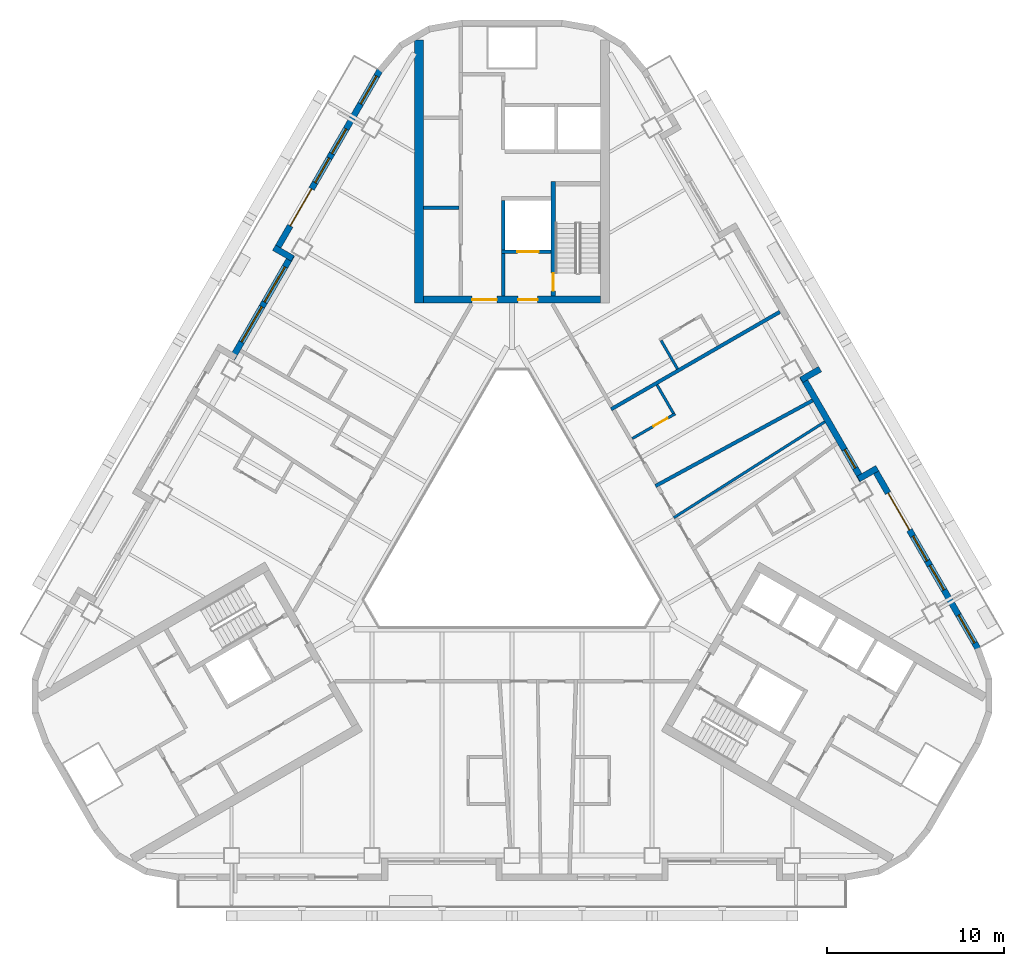
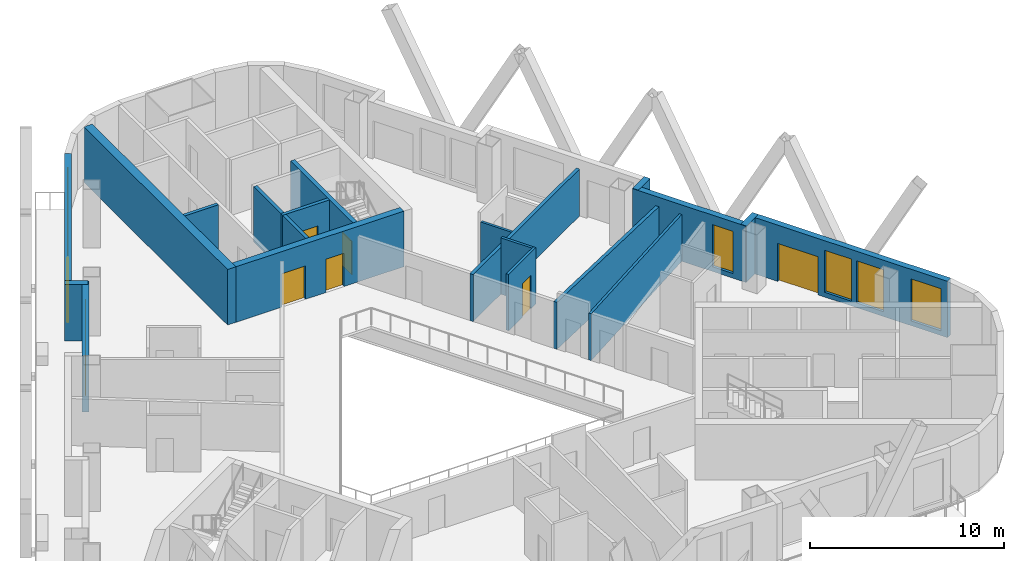
# One storey, part 6 of 14: 20 walls, 9 windows, 7 doors, 16 openings.
"""IFC4 building model written with IfcOpenShell, lengths in metres."""

from ifc_helpers import new_model, si_unit, direction, frame, frame_2d, origin, place, context, subcontext, project, spatial, rectangle, extrude, material, layer, layer_set, type_object, element, fill, save


model = new_model("IFC4")

# Units and contexts
model_context = context("Model", 3, precision=1e-05, world=origin(), true_north=direction((0.0, 1.0)))
body_context = subcontext(model_context, "Body", "Model", "MODEL_VIEW")
ifc_project = project(units=[si_unit("LENGTHUNIT", "METRE"), si_unit("AREAUNIT", "SQUARE_METRE"), si_unit("VOLUMEUNIT", "CUBIC_METRE"), si_unit("PLANEANGLEUNIT", "RADIAN"), si_unit("MASSUNIT", "GRAM", prefix="KILO")], contexts=[model_context])

# Site, building, storey
site_placement = place(None, origin())
site = spatial("IfcSite", under=ifc_project, at=site_placement, CompositionType="ELEMENT")
building_placement = place(site_placement, origin())
building = spatial("IfcBuilding", under=site, at=building_placement, Name="Apuvela Tower Hotel", CompositionType="ELEMENT")
storey_placement = place(building_placement, frame((0.0, 0.0, 113.10009765625)))
storey = spatial("IfcBuildingStorey", under=building, at=storey_placement, Name="L26", CompositionType="ELEMENT", Elevation=113.10009765625)

# Wall, openings, doors
ifc_material_1 = material(Name="Concrete C50/60", Category="concrete")
ifc_layer_1 = layer(ifc_material_1, 0.39990234375)
ifc_layer_set_1 = layer_set([ifc_layer_1], Name="COR-WALL-CORE-400")
wall_type_1 = type_object("IfcWallType", Name="COR-WALL-CORE-400", PredefinedType="SHEAR", material=ifc_layer_set_1)
wall_1_placement = place(storey_placement, frame((5.0, 13.10009765625, 0.0), z_axis=(0.0, 0.0, 1.0), x_axis=(-1.0, 0.0, 0.0)))
wall_1 = element("IfcWall", 1, at=wall_1_placement, inside=storey, type_object=wall_type_1, Name="Core wall N", PredefinedType="SHEAR", context=body_context, shape_type="SweptSolid", body=[
    extrude(rectangle(XDim=10.0, YDim=0.39990234375, at=frame_2d((5.0, 0.0))), origin(), (0.0, 0.0, 1.0), 3.5),
])
opening_1_placement = place(wall_1_placement, frame((3.550048828125, 0.0, 0.0)))
opening_1 = element("IfcOpeningElement", 2, at=opening_1_placement, cuts=wall_1, Name="Opening N-FD", PredefinedType="OPENING", context=body_context, shape_type="SweptSolid", body=[
    extrude(rectangle(XDim=1.10009765625, YDim=2.10009765625, at=frame_2d((0.550048828125, 1.050048828125))), frame((0.0, 0.2099609375, 0.0), z_axis=(0.0, -1.0, 0.0), x_axis=(1.0, 0.0, 0.0)), (0.0, 0.0, 1.0), 0.419921875),
])
opening_2_placement = place(wall_1_placement, frame((5.85009765625, 0.0, 0.0)))
opening_2 = element("IfcOpeningElement", 3, at=opening_2_placement, cuts=wall_1, Name="Opening N-GD", PredefinedType="OPENING", context=body_context, shape_type="SweptSolid", body=[
    extrude(rectangle(XDim=1.39990234375, YDim=2.10009765625, at=frame_2d((0.699951171875, 1.050048828125))), frame((0.0, 0.2099609375, 0.0), z_axis=(0.0, -1.0, 0.0), x_axis=(1.0, 0.0, 0.0)), (0.0, 0.0, 1.0), 0.419921875),
])
ifc_material_2 = material(Name="Steel fire door, powder coated", Category="steel")
door_type_1 = type_object("IfcDoorType", Name="COR-FD-1100", OperationType="NOTDEFINED", PredefinedType="DOOR", material=ifc_material_2)
door_1_placement = place(opening_1_placement, frame((1.10009765625, 0.0, 0.0), z_axis=(0.0, 0.0, 1.0), x_axis=(-1.0, 0.0, 0.0)))
door_1 = element("IfcDoor", 4, at=door_1_placement, inside=storey, type_object=door_type_1, Name="Firefighting lobby door N-FD", OperationType="SINGLE_SWING_LEFT", OverallHeight=2.10009765625, OverallWidth=1.10009765625, PredefinedType="DOOR", context=body_context, shape_type="SweptSolid", body=[
    extrude(rectangle(XDim=1.10009765625, YDim=2.10009765625, at=frame_2d((0.550048828125, 1.050048828125))), frame((0.0, 0.02490234375, 0.0), z_axis=(0.0, -1.0, 0.0), x_axis=(1.0, 0.0, 0.0)), (0.0, 0.0, 1.0), 0.050048828125),
])
fill(opening_1, door_1)
ifc_material_3 = material(Name="Glazed steel fire door", Category="steel")
door_type_2 = type_object("IfcDoorType", Name="COR-GD-1400", OperationType="DOUBLE_DOOR_SINGLE_SWING", PredefinedType="DOOR", material=ifc_material_3)
door_2_placement = place(opening_2_placement, frame((1.39990234375, 0.0, 0.0), z_axis=(0.0, 0.0, 1.0), x_axis=(-1.0, 0.0, 0.0)))
door_2 = element("IfcDoor", 5, at=door_2_placement, inside=storey, type_object=door_type_2, Name="Lift lobby door N-GD", OperationType="DOUBLE_DOOR_SINGLE_SWING", OverallHeight=2.10009765625, OverallWidth=1.39990234375, PredefinedType="DOOR", context=body_context, shape_type="SweptSolid", body=[
    extrude(rectangle(XDim=1.39990234375, YDim=2.10009765625, at=frame_2d((0.699951171875, 1.050048828125))), frame((0.0, 0.02490234375, 0.0), z_axis=(0.0, -1.0, 0.0), x_axis=(1.0, 0.0, 0.0)), (0.0, 0.0, 1.0), 0.050048828125),
])
fill(opening_2, door_2)

# Wall
ifc_layer_2 = layer(ifc_material_1, 0.5)
ifc_layer_set_2 = layer_set([ifc_layer_2], Name="COR-WALL-CORE-500")
wall_type_2 = type_object("IfcWallType", Name="COR-WALL-CORE-500", PredefinedType="SHEAR", material=ifc_layer_set_2)
wall_2_placement = place(storey_placement, frame((-5.25, 12.89990234375, 0.0), z_axis=(0.0, 0.0, 1.0), x_axis=(0.0, 1.0, 0.0)))
element("IfcWall", 6, at=wall_2_placement, inside=storey, type_object=wall_type_2, Name="Core wall N", PredefinedType="SHEAR", context=body_context, shape_type="SweptSolid", body=[
    extrude(rectangle(XDim=14.8369140625, YDim=0.5, at=frame_2d((7.41845703125, 0.0))), origin(), (0.0, 0.0, 1.0), 3.5),
])

# Wall, opening, door
ifc_layer_3 = layer(ifc_material_1, 0.199951171875)
ifc_layer_set_3 = layer_set([ifc_layer_3], Name="COR-WALL-SHAFT-200")
wall_type_3 = type_object("IfcWallType", Name="COR-WALL-SHAFT-200", PredefinedType="SHEAR", material=ifc_layer_set_3)
wall_3_placement = place(storey_placement, frame((2.199951171875, 15.800048828125, 0.0), z_axis=(0.0, 0.0, 1.0), x_axis=(-1.0, 0.0, 0.0)))
wall_3 = element("IfcWall", 7, at=wall_3_placement, inside=storey, type_object=wall_type_3, Name="Shaft wall N", PredefinedType="SHEAR", context=body_context, shape_type="SweptSolid", body=[
    extrude(rectangle(XDim=2.800048828125, YDim=0.199951171875, at=frame_2d((1.39990234375, 0.0))), origin(), (0.0, 0.0, 1.0), 3.5),
])
opening_3_placement = place(wall_3_placement, frame((0.699951171875, 0.0, 0.0)))
opening_3 = element("IfcOpeningElement", 8, at=opening_3_placement, cuts=wall_3, Name="Opening N-LD-FS1", PredefinedType="OPENING", context=body_context, shape_type="SweptSolid", body=[
    extrude(rectangle(XDim=1.199951171875, YDim=2.10009765625, at=frame_2d((0.60009765625, 1.050048828125))), frame((0.0, 0.10986328125, 0.0), z_axis=(0.0, -1.0, 0.0), x_axis=(1.0, 0.0, 0.0)), (0.0, 0.0, 1.0), 0.219970703125),
])
ifc_material_4 = material(Name="Stainless steel lift landing door", Category="steel")
door_type_3 = type_object("IfcDoorType", Name="COR-LD-1200", OperationType="DOUBLE_DOOR_SLIDING", PredefinedType="DOOR", material=ifc_material_4)
door_3_placement = place(opening_3_placement, origin())
door_3 = element("IfcDoor", 9, at=door_3_placement, inside=storey, type_object=door_type_3, Name="Lift landing door N-LD-FS1", OperationType="DOUBLE_DOOR_SLIDING", OverallHeight=2.10009765625, OverallWidth=1.199951171875, PredefinedType="DOOR", context=body_context, shape_type="SweptSolid", body=[
    extrude(rectangle(XDim=1.199951171875, YDim=2.10009765625, at=frame_2d((0.60009765625, 1.050048828125))), frame((0.0, 0.02490234375, 0.0), z_axis=(0.0, -1.0, 0.0), x_axis=(1.0, 0.0, 0.0)), (0.0, 0.0, 1.0), 0.050048828125),
])
fill(opening_3, door_3)

# Walls
wall_4_placement = place(storey_placement, frame((-0.5, 15.89990234375, 0.0), z_axis=(0.0, 0.0, 1.0), x_axis=(0.0, 1.0, 0.0)))
element("IfcWall", 10, at=wall_4_placement, inside=storey, type_object=wall_type_3, Name="Shaft wall N", PredefinedType="SHEAR", context=body_context, shape_type="SweptSolid", body=[
    extrude(rectangle(XDim=2.800048828125, YDim=0.199951171875, at=frame_2d((1.39990234375, 0.0))), origin(), (0.0, 0.0, 1.0), 3.5),
])
wall_5_placement = place(storey_placement, frame((-0.5, 13.300048828125, 0.0), z_axis=(0.0, 0.0, 1.0), x_axis=(0.0, 1.0, 0.0)))
element("IfcWall", 11, at=wall_5_placement, inside=storey, type_object=wall_type_3, Name="Shaft wall N", PredefinedType="SHEAR", context=body_context, shape_type="SweptSolid", body=[
    extrude(rectangle(XDim=2.39990234375, YDim=0.199951171875, at=frame_2d((1.199951171875, 0.0))), origin(), (0.0, 0.0, 1.0), 3.5),
])
wall_6_placement = place(storey_placement, frame((-3.0, 18.280029296875, 0.0), z_axis=(0.0, 0.0, 1.0), x_axis=(-1.0, 0.0, 0.0)))
element("IfcWall", 12, at=wall_6_placement, inside=storey, type_object=wall_type_3, Name="Shaft wall N", PredefinedType="SHEAR", context=body_context, shape_type="SweptSolid", body=[
    extrude(rectangle(XDim=2.0, YDim=0.199951171875, at=frame_2d((1.0, 0.0))), origin(), (0.0, 0.0, 1.0), 3.5),
])

# Wall, opening, door
ifc_layer_4 = layer(ifc_material_1, 0.25)
ifc_layer_set_4 = layer_set([ifc_layer_4], Name="COR-WALL-STAIR-250")
wall_type_4 = type_object("IfcWallType", Name="COR-WALL-STAIR-250", PredefinedType="SHEAR", material=ifc_layer_set_4)
wall_7_placement = place(storey_placement, frame((2.324951171875, 13.300048828125, 0.0), z_axis=(0.0, 0.0, 1.0), x_axis=(0.0, 1.0, 0.0)))
wall_7 = element("IfcWall", 13, at=wall_7_placement, inside=storey, type_object=wall_type_4, Name="Stair wall N", PredefinedType="SHEAR", context=body_context, shape_type="SweptSolid", body=[
    extrude(rectangle(XDim=6.449951171875, YDim=0.25, at=frame_2d((3.22509765625, 0.0))), origin(), (0.0, 0.0, 1.0), 3.5),
])
opening_4_placement = place(wall_7_placement, frame((0.300048828125, 0.0, 0.0)))
opening_4 = element("IfcOpeningElement", 14, at=opening_4_placement, cuts=wall_7, Name="Opening N-SD", PredefinedType="OPENING", context=body_context, shape_type="SweptSolid", body=[
    extrude(rectangle(XDim=1.0, YDim=2.10009765625, at=frame_2d((0.5, 1.050048828125))), frame((0.0, 0.135009765625, 0.0), z_axis=(0.0, -1.0, 0.0), x_axis=(1.0, 0.0, 0.0)), (0.0, 0.0, 1.0), 0.27001953125),
])
door_type_4 = type_object("IfcDoorType", Name="COR-SD-1000", OperationType="NOTDEFINED", PredefinedType="DOOR", material=ifc_material_2)
door_4_placement = place(opening_4_placement, frame((1.0, 0.0, 0.0), z_axis=(0.0, 0.0, 1.0), x_axis=(-1.0, 0.0, 0.0)))
door_4 = element("IfcDoor", 15, at=door_4_placement, inside=storey, type_object=door_type_4, Name="Stair door N-SD", OperationType="SINGLE_SWING_LEFT", OverallHeight=2.10009765625, OverallWidth=1.0, PredefinedType="DOOR", context=body_context, shape_type="SweptSolid", body=[
    extrude(rectangle(XDim=1.0, YDim=2.10009765625, at=frame_2d((0.5, 1.050048828125))), frame((0.0, 0.02490234375, 0.0), z_axis=(0.0, -1.0, 0.0), x_axis=(1.0, 0.0, 0.0)), (0.0, 0.0, 1.0), 0.050048828125),
])
fill(opening_4, door_4)

# Wall, openings, door, windows
ifc_material_5 = material(Name="Concrete C40/50, dark pigmented precast panel", Category="concrete")
ifc_layer_5 = layer(ifc_material_5, 0.35009765625)
ifc_layer_set_5 = layer_set([ifc_layer_5], Name="ENV-WALL-350")
wall_type_5 = type_object("IfcWallType", Name="ENV-WALL-350", PredefinedType="SOLIDWALL", material=ifc_layer_set_5)
wall_8_placement = place(storey_placement, frame((-7.440673828125, 26.0224609375, 0.0), z_axis=(0.0, 0.0, 1.0), x_axis=(-0.499992533062, -0.86602971478, 0.0)))
wall_8 = element("IfcWall", 16, at=wall_8_placement, inside=storey, type_object=wall_type_5, Name="External wall L26-01", PredefinedType="SOLIDWALL", context=body_context, shape_type="SweptSolid", body=[
    extrude(rectangle(XDim=11.815673828125, YDim=0.35009765625, at=frame_2d((5.90771484375, 0.0))), origin(), (0.0, 0.0, 1.0), 3.5498046875),
])
opening_5_placement = place(wall_8_placement, frame((0.381103515625, 0.0, 0.300048828125)))
opening_5 = element("IfcOpeningElement", 17, at=opening_5_placement, cuts=wall_8, Name="Opening WN18", PredefinedType="OPENING", context=body_context, shape_type="SweptSolid", body=[
    extrude(rectangle(XDim=1.800048828125, YDim=2.64990234375, at=frame_2d((0.89990234375, 1.324951171875))), frame((0.0, 0.18505859375, 0.0), z_axis=(0.0, -1.0, 0.0), x_axis=(1.0, 0.0, 0.0)), (0.0, 0.0, 1.0), 0.3701171875),
])
opening_6_placement = place(wall_8_placement, frame((7.7158203125, 0.0, 0.0)))
opening_6 = element("IfcOpeningElement", 18, at=opening_6_placement, cuts=wall_8, Name="Opening BD24", PredefinedType="OPENING", context=body_context, shape_type="SweptSolid", body=[
    extrude(rectangle(XDim=2.39990234375, YDim=2.39990234375, at=frame_2d((1.199951171875, 1.199951171875))), frame((0.0, 0.18505859375, 0.0), z_axis=(0.0, -1.0, 0.0), x_axis=(1.0, 0.0, 0.0)), (0.0, 0.0, 1.0), 0.3701171875),
])
opening_7_placement = place(wall_8_placement, frame((3.815185546875, 0.0, 0.300048828125)))
opening_7 = element("IfcOpeningElement", 19, at=opening_7_placement, cuts=wall_8, Name="Opening WN16", PredefinedType="OPENING", context=body_context, shape_type="SweptSolid", body=[
    extrude(rectangle(XDim=1.60009765625, YDim=2.64990234375, at=frame_2d((0.800048828125, 1.324951171875))), frame((0.0, 0.18505859375, 0.0), z_axis=(0.0, -1.0, 0.0), x_axis=(1.0, 0.0, 0.0)), (0.0, 0.0, 1.0), 0.3701171875),
])
opening_8_placement = place(wall_8_placement, frame((5.715087890625, 0.0, 0.300048828125)))
opening_8 = element("IfcOpeningElement", 20, at=opening_8_placement, cuts=wall_8, Name="Opening WN16", PredefinedType="OPENING", context=body_context, shape_type="SweptSolid", body=[
    extrude(rectangle(XDim=1.60009765625, YDim=2.64990234375, at=frame_2d((0.800048828125, 1.324951171875))), frame((0.0, 0.18505859375, 0.0), z_axis=(0.0, -1.0, 0.0), x_axis=(1.0, 0.0, 0.0)), (0.0, 0.0, 1.0), 0.3701171875),
])
ifc_material_6 = material(Name="Aluminium 6063-T6, dark bronze anodised frame with dark tinted laminated glass", Category="aluminium")
door_type_5 = type_object("IfcDoorType", Name="ENV-DOOR-BALCONY-2400x2400", OperationType="SLIDING_TO_LEFT", PredefinedType="DOOR", material=ifc_material_6)
door_5_placement = place(opening_6_placement, frame((2.39990234375, 0.0, 0.0), z_axis=(0.0, 0.0, 1.0), x_axis=(-1.0, 0.0, 0.0)))
door_5 = element("IfcDoor", 21, at=door_5_placement, inside=storey, type_object=door_type_5, Name="Balcony door BD24", OperationType="SLIDING_TO_LEFT", OverallHeight=2.39990234375, OverallWidth=2.39990234375, PredefinedType="DOOR", context=body_context, shape_type="SweptSolid", body=[
    extrude(rectangle(XDim=2.39990234375, YDim=2.39990234375, at=frame_2d((1.199951171875, 1.199951171875))), frame((0.0, 0.02490234375, 0.0), z_axis=(0.0, -1.0, 0.0), x_axis=(1.0, 0.0, 0.0)), (0.0, 0.0, 1.0), 0.050048828125),
])
fill(opening_6, door_5)
ifc_material_7 = material(Name="Glass, dark tinted laminated insulated glazing unit", Category="glass")
window_type_1 = type_object("IfcWindowType", Name="ENV-WIN-1600x2650", PartitioningType="SINGLE_PANEL", PredefinedType="WINDOW", material=ifc_material_7)
window_1_placement = place(opening_7_placement, origin())
window_1 = element("IfcWindow", 22, at=window_1_placement, inside=storey, type_object=window_type_1, Name="Window WN16", OverallHeight=2.64990234375, OverallWidth=1.60009765625, PartitioningType="SINGLE_PANEL", PredefinedType="WINDOW", context=body_context, shape_type="SweptSolid", body=[
    extrude(rectangle(XDim=1.60009765625, YDim=2.64990234375, at=frame_2d((0.800048828125, 1.324951171875))), frame((0.0, 0.030029296875, 0.0), z_axis=(0.0, -1.0, 0.0), x_axis=(1.0, 0.0, 0.0)), (0.0, 0.0, 1.0), 0.06005859375),
])
fill(opening_7, window_1)
window_2_placement = place(opening_8_placement, origin())
window_2 = element("IfcWindow", 23, at=window_2_placement, inside=storey, type_object=window_type_1, Name="Window WN16", OverallHeight=2.64990234375, OverallWidth=1.60009765625, PartitioningType="SINGLE_PANEL", PredefinedType="WINDOW", context=body_context, shape_type="SweptSolid", body=[
    extrude(rectangle(XDim=1.60009765625, YDim=2.64990234375, at=frame_2d((0.800048828125, 1.324951171875))), frame((0.0, 0.030029296875, 0.0), z_axis=(0.0, -1.0, 0.0), x_axis=(1.0, 0.0, 0.0)), (0.0, 0.0, 1.0), 0.06005859375),
])
fill(opening_8, window_2)
window_type_2 = type_object("IfcWindowType", Name="ENV-WIN-1800x2650", PartitioningType="SINGLE_PANEL", PredefinedType="WINDOW", material=ifc_material_7)
window_3_placement = place(opening_5_placement, origin())
window_3 = element("IfcWindow", 24, at=window_3_placement, inside=storey, type_object=window_type_2, Name="Window WN18", OverallHeight=2.64990234375, OverallWidth=1.800048828125, PartitioningType="SINGLE_PANEL", PredefinedType="WINDOW", context=body_context, shape_type="SweptSolid", body=[
    extrude(rectangle(XDim=1.800048828125, YDim=2.64990234375, at=frame_2d((0.89990234375, 1.324951171875))), frame((0.0, 0.030029296875, 0.0), z_axis=(0.0, -1.0, 0.0), x_axis=(1.0, 0.0, 0.0)), (0.0, 0.0, 1.0), 0.06005859375),
])
fill(opening_5, window_3)

# Wall
wall_9_placement = place(storey_placement, frame((-13.41259765625, 16.02880859375, 0.0), z_axis=(0.0, 0.0, 1.0), x_axis=(0.866005645448, -0.500034220881, 0.0)))
element("IfcWall", 25, at=wall_9_placement, inside=storey, type_object=wall_type_5, Name="External wall L26-02", PredefinedType="SOLIDWALL", context=body_context, shape_type="SweptSolid", body=[
    extrude(rectangle(XDim=1.22021484375, YDim=0.35009765625, at=frame_2d((0.610107421875, 0.0))), origin(), (0.0, 0.0, 1.0), 3.5498046875),
])

# Wall, openings, windows
wall_10_placement = place(storey_placement, frame((-12.408935546875, 15.616943359375, 0.0), z_axis=(0.0, 0.0, 1.0), x_axis=(-0.500003597184, -0.866023326939, 0.0)))
wall_10 = element("IfcWall", 26, at=wall_10_placement, inside=storey, type_object=wall_type_5, Name="External wall L26-03", PredefinedType="SOLIDWALL", context=body_context, shape_type="SweptSolid", body=[
    extrude(rectangle(XDim=6.740234375, YDim=0.35009765625, at=frame_2d((3.3701171875, 0.0))), origin(), (0.0, 0.0, 1.0), 3.5498046875),
])
opening_9_placement = place(wall_10_placement, frame((0.77001953125, 0.0, 0.300048828125)))
opening_9 = element("IfcOpeningElement", 27, at=opening_9_placement, cuts=wall_10, Name="Opening WN23", PredefinedType="OPENING", context=body_context, shape_type="SweptSolid", body=[
    extrude(rectangle(XDim=2.300048828125, YDim=2.64990234375, at=frame_2d((1.14990234375, 1.324951171875))), frame((0.0, 0.18505859375, 0.0), z_axis=(0.0, -1.0, 0.0), x_axis=(1.0, 0.0, 0.0)), (0.0, 0.0, 1.0), 0.3701171875),
])
opening_10_placement = place(wall_10_placement, frame((3.3701171875, 0.0, 0.300048828125)))
opening_10 = element("IfcOpeningElement", 28, at=opening_10_placement, cuts=wall_10, Name="Opening WN23", PredefinedType="OPENING", context=body_context, shape_type="SweptSolid", body=[
    extrude(rectangle(XDim=2.300048828125, YDim=2.64990234375, at=frame_2d((1.14990234375, 1.324951171875))), frame((0.0, 0.18505859375, 0.0), z_axis=(0.0, -1.0, 0.0), x_axis=(1.0, 0.0, 0.0)), (0.0, 0.0, 1.0), 0.3701171875),
])
window_type_3 = type_object("IfcWindowType", Name="ENV-WIN-2300x2650", PartitioningType="SINGLE_PANEL", PredefinedType="WINDOW", material=ifc_material_7)
window_4_placement = place(opening_9_placement, origin())
window_4 = element("IfcWindow", 29, at=window_4_placement, inside=storey, type_object=window_type_3, Name="Window WN23", OverallHeight=2.64990234375, OverallWidth=2.300048828125, PartitioningType="SINGLE_PANEL", PredefinedType="WINDOW", context=body_context, shape_type="SweptSolid", body=[
    extrude(rectangle(XDim=2.300048828125, YDim=2.64990234375, at=frame_2d((1.14990234375, 1.324951171875))), frame((0.0, 0.030029296875, 0.0), z_axis=(0.0, -1.0, 0.0), x_axis=(1.0, 0.0, 0.0)), (0.0, 0.0, 1.0), 0.06005859375),
])
fill(opening_9, window_4)
window_5_placement = place(opening_10_placement, origin())
window_5 = element("IfcWindow", 30, at=window_5_placement, inside=storey, type_object=window_type_3, Name="Window WN23", OverallHeight=2.64990234375, OverallWidth=2.300048828125, PartitioningType="SINGLE_PANEL", PredefinedType="WINDOW", context=body_context, shape_type="SweptSolid", body=[
    extrude(rectangle(XDim=2.300048828125, YDim=2.64990234375, at=frame_2d((1.14990234375, 1.324951171875))), frame((0.0, 0.030029296875, 0.0), z_axis=(0.0, -1.0, 0.0), x_axis=(1.0, 0.0, 0.0)), (0.0, 0.0, 1.0), 0.06005859375),
])
fill(opening_10, window_5)

# Wall, openings, door, windows
wall_11_placement = place(storey_placement, frame((26.256591796875, -6.5673828125, 0.0), z_axis=(0.0, 0.0, 1.0), x_axis=(-0.500023526245, 0.866011820475, 0.0)))
wall_11 = element("IfcWall", 31, at=wall_11_placement, inside=storey, type_object=wall_type_5, Name="External wall L26-33", PredefinedType="SOLIDWALL", context=body_context, shape_type="SweptSolid", body=[
    extrude(rectangle(XDim=11.81591796875, YDim=0.35009765625, at=frame_2d((5.907958984375, 0.0))), origin(), (0.0, 0.0, 1.0), 3.5498046875),
])
opening_11_placement = place(wall_11_placement, frame((0.380126953125, 0.0, 0.300048828125)))
opening_11 = element("IfcOpeningElement", 32, at=opening_11_placement, cuts=wall_11, Name="Opening WN18", PredefinedType="OPENING", context=body_context, shape_type="SweptSolid", body=[
    extrude(rectangle(XDim=1.800048828125, YDim=2.64990234375, at=frame_2d((0.89990234375, 1.324951171875))), frame((0.0, 0.18505859375, 0.0), z_axis=(0.0, -1.0, 0.0), x_axis=(1.0, 0.0, 0.0)), (0.0, 0.0, 1.0), 0.3701171875),
])
opening_12_placement = place(wall_11_placement, frame((7.71630859375, 0.0, 0.0)))
opening_12 = element("IfcOpeningElement", 33, at=opening_12_placement, cuts=wall_11, Name="Opening BD24", PredefinedType="OPENING", context=body_context, shape_type="SweptSolid", body=[
    extrude(rectangle(XDim=2.39990234375, YDim=2.39990234375, at=frame_2d((1.199951171875, 1.199951171875))), frame((0.0, 0.18505859375, 0.0), z_axis=(0.0, -1.0, 0.0), x_axis=(1.0, 0.0, 0.0)), (0.0, 0.0, 1.0), 0.3701171875),
])
opening_13_placement = place(wall_11_placement, frame((3.81591796875, 0.0, 0.300048828125)))
opening_13 = element("IfcOpeningElement", 34, at=opening_13_placement, cuts=wall_11, Name="Opening WN16", PredefinedType="OPENING", context=body_context, shape_type="SweptSolid", body=[
    extrude(rectangle(XDim=1.60009765625, YDim=2.64990234375, at=frame_2d((0.800048828125, 1.324951171875))), frame((0.0, 0.18505859375, 0.0), z_axis=(0.0, -1.0, 0.0), x_axis=(1.0, 0.0, 0.0)), (0.0, 0.0, 1.0), 0.3701171875),
])
opening_14_placement = place(wall_11_placement, frame((5.7158203125, 0.0, 0.300048828125)))
opening_14 = element("IfcOpeningElement", 35, at=opening_14_placement, cuts=wall_11, Name="Opening WN16", PredefinedType="OPENING", context=body_context, shape_type="SweptSolid", body=[
    extrude(rectangle(XDim=1.60009765625, YDim=2.64990234375, at=frame_2d((0.800048828125, 1.324951171875))), frame((0.0, 0.18505859375, 0.0), z_axis=(0.0, -1.0, 0.0), x_axis=(1.0, 0.0, 0.0)), (0.0, 0.0, 1.0), 0.3701171875),
])
door_6_placement = place(opening_12_placement, frame((2.39990234375, 0.0, 0.0), z_axis=(0.0, 0.0, 1.0), x_axis=(-1.0, 0.0, 0.0)))
door_6 = element("IfcDoor", 36, at=door_6_placement, inside=storey, type_object=door_type_5, Name="Balcony door BD24", OperationType="SLIDING_TO_LEFT", OverallHeight=2.39990234375, OverallWidth=2.39990234375, PredefinedType="DOOR", context=body_context, shape_type="SweptSolid", body=[
    extrude(rectangle(XDim=2.39990234375, YDim=2.39990234375, at=frame_2d((1.199951171875, 1.199951171875))), frame((0.0, 0.02490234375, 0.0), z_axis=(0.0, -1.0, 0.0), x_axis=(1.0, 0.0, 0.0)), (0.0, 0.0, 1.0), 0.050048828125),
])
fill(opening_12, door_6)
window_6_placement = place(opening_13_placement, origin())
window_6 = element("IfcWindow", 37, at=window_6_placement, inside=storey, type_object=window_type_1, Name="Window WN16", OverallHeight=2.64990234375, OverallWidth=1.60009765625, PartitioningType="SINGLE_PANEL", PredefinedType="WINDOW", context=body_context, shape_type="SweptSolid", body=[
    extrude(rectangle(XDim=1.60009765625, YDim=2.64990234375, at=frame_2d((0.800048828125, 1.324951171875))), frame((0.0, 0.030029296875, 0.0), z_axis=(0.0, -1.0, 0.0), x_axis=(1.0, 0.0, 0.0)), (0.0, 0.0, 1.0), 0.06005859375),
])
fill(opening_13, window_6)
window_7_placement = place(opening_14_placement, origin())
window_7 = element("IfcWindow", 38, at=window_7_placement, inside=storey, type_object=window_type_1, Name="Window WN16", OverallHeight=2.64990234375, OverallWidth=1.60009765625, PartitioningType="SINGLE_PANEL", PredefinedType="WINDOW", context=body_context, shape_type="SweptSolid", body=[
    extrude(rectangle(XDim=1.60009765625, YDim=2.64990234375, at=frame_2d((0.800048828125, 1.324951171875))), frame((0.0, 0.030029296875, 0.0), z_axis=(0.0, -1.0, 0.0), x_axis=(1.0, 0.0, 0.0)), (0.0, 0.0, 1.0), 0.06005859375),
])
fill(opening_14, window_7)
window_8_placement = place(opening_11_placement, origin())
window_8 = element("IfcWindow", 39, at=window_8_placement, inside=storey, type_object=window_type_2, Name="Window WN18", OverallHeight=2.64990234375, OverallWidth=1.800048828125, PartitioningType="SINGLE_PANEL", PredefinedType="WINDOW", context=body_context, shape_type="SweptSolid", body=[
    extrude(rectangle(XDim=1.800048828125, YDim=2.64990234375, at=frame_2d((0.89990234375, 1.324951171875))), frame((0.0, 0.030029296875, 0.0), z_axis=(0.0, -1.0, 0.0), x_axis=(1.0, 0.0, 0.0)), (0.0, 0.0, 1.0), 0.06005859375),
])
fill(opening_11, window_8)

# Wall
wall_12_placement = place(storey_placement, frame((20.587646484375, 3.601318359375, 0.0), z_axis=(0.0, 0.0, 1.0), x_axis=(-0.866005645448, -0.500034220881, 0.0)))
element("IfcWall", 40, at=wall_12_placement, inside=storey, type_object=wall_type_5, Name="External wall L26-34", PredefinedType="SOLIDWALL", context=body_context, shape_type="SweptSolid", body=[
    extrude(rectangle(XDim=1.22021484375, YDim=0.35009765625, at=frame_2d((0.610107421875, 0.0))), origin(), (0.0, 0.0, 1.0), 3.5498046875),
])

# Wall, opening, window
wall_13_placement = place(storey_placement, frame((19.72900390625, 2.93798828125, 0.0), z_axis=(0.0, 0.0, 1.0), x_axis=(-0.499976430342, 0.866039011305, 0.0)))
wall_13 = element("IfcWall", 41, at=wall_13_placement, inside=storey, type_object=wall_type_5, Name="External wall L26-35", PredefinedType="SOLIDWALL", context=body_context, shape_type="SweptSolid", body=[
    extrude(rectangle(XDim=6.739990234375, YDim=0.35009765625, at=frame_2d((3.3701171875, 0.0))), origin(), (0.0, 0.0, 1.0), 3.5498046875),
])
opening_15_placement = place(wall_13_placement, frame((0.77001953125, 0.0, 0.300048828125)))
opening_15 = element("IfcOpeningElement", 42, at=opening_15_placement, cuts=wall_13, Name="Opening WN12", PredefinedType="OPENING", context=body_context, shape_type="SweptSolid", body=[
    extrude(rectangle(XDim=1.199951171875, YDim=2.64990234375, at=frame_2d((0.60009765625, 1.324951171875))), frame((0.0, 0.18505859375, 0.0), z_axis=(0.0, -1.0, 0.0), x_axis=(1.0, 0.0, 0.0)), (0.0, 0.0, 1.0), 0.3701171875),
])
window_type_4 = type_object("IfcWindowType", Name="ENV-WIN-1200x2650", PartitioningType="SINGLE_PANEL", PredefinedType="WINDOW", material=ifc_material_7)
window_9_placement = place(opening_15_placement, origin())
window_9 = element("IfcWindow", 43, at=window_9_placement, inside=storey, type_object=window_type_4, Name="Window WN12", OverallHeight=2.64990234375, OverallWidth=1.199951171875, PartitioningType="SINGLE_PANEL", PredefinedType="WINDOW", context=body_context, shape_type="SweptSolid", body=[
    extrude(rectangle(XDim=1.199951171875, YDim=2.64990234375, at=frame_2d((0.60009765625, 1.324951171875))), frame((0.0, 0.030029296875, 0.0), z_axis=(0.0, -1.0, 0.0), x_axis=(1.0, 0.0, 0.0)), (0.0, 0.0, 1.0), 0.06005859375),
])
fill(opening_15, window_9)

# Walls
wall_14_placement = place(storey_placement, frame((16.305908203125, 8.5771484375, 0.0), z_axis=(0.0, 0.0, 1.0), x_axis=(0.866092288191, 0.499884134912, 0.0)))
element("IfcWall", 44, at=wall_14_placement, inside=storey, type_object=wall_type_5, Name="External wall L26-36", PredefinedType="SOLIDWALL", context=body_context, shape_type="SweptSolid", body=[
    extrude(rectangle(XDim=1.219970703125, YDim=0.35009765625, at=frame_2d((0.60986328125, 0.0))), origin(), (0.0, 0.0, 1.0), 3.5498046875),
])
ifc_material_8 = material(Name="Gypsum board partition on twin steel stud", Category="steel")
ifc_layer_6 = layer(ifc_material_8, 0.199951171875)
ifc_layer_set_6 = layer_set([ifc_layer_6], Name="GST-PW1")
wall_type_6 = type_object("IfcWallType", Name="GST-PW1", PredefinedType="PARTITIONING", material=ifc_layer_set_6)
wall_15_placement = place(storey_placement, frame((16.94140625, 7.4169921875, 0.0), z_axis=(0.0, 0.0, 1.0), x_axis=(-0.878270052011, -0.478164946164, 0.0)))
element("IfcWall", 45, at=wall_15_placement, inside=storey, type_object=wall_type_6, Name="L26 partition 04", PredefinedType="PARTITIONING", context=body_context, shape_type="SweptSolid", body=[
    extrude(rectangle(XDim=10.08349609375, YDim=0.199951171875, at=frame_2d((5.041748046875, 0.0))), origin(), (0.0, 0.0, 1.0), 2.9599609375),
])
wall_16_placement = place(storey_placement, frame((15.096923828125, 12.411376953125, 0.0), z_axis=(0.0, 0.0, 1.0), x_axis=(-0.866027479907, -0.499996404033, 0.0)))
element("IfcWall", 46, at=wall_16_placement, inside=storey, type_object=wall_type_6, Name="L26 partition 05", PredefinedType="PARTITIONING", context=body_context, shape_type="SweptSolid", body=[
    extrude(rectangle(XDim=10.97998046875, YDim=0.199951171875, at=frame_2d((5.489990234375, 0.0))), origin(), (0.0, 0.0, 1.0), 2.9599609375),
])
ifc_material_9 = material(Name="Moisture-resistant gypsum board wet wall on steel stud", Category="steel")
ifc_layer_7 = layer(ifc_material_9, 0.14990234375)
ifc_layer_set_7 = layer_set([ifc_layer_7], Name="GST-PW3")
wall_type_7 = type_object("IfcWallType", Name="GST-PW3", PredefinedType="PARTITIONING", material=ifc_layer_set_7)
wall_17_placement = place(storey_placement, frame((17.634033203125, 6.217041015625, 0.0), z_axis=(0.0, 0.0, 1.0), x_axis=(-0.844171272136, -0.536073561463, 0.0)))
element("IfcWall", 47, at=wall_17_placement, inside=storey, type_object=wall_type_7, Name="L26 partition 23", PredefinedType="PARTITIONING", context=body_context, shape_type="SweptSolid", body=[
    extrude(rectangle(XDim=10.089111328125, YDim=0.14990234375, at=frame_2d((5.04443359375, 0.0))), origin(), (0.0, 0.0, 1.0), 2.949951171875),
])

# Wall, opening, door
wall_18_placement = place(storey_placement, frame((6.773681640625, 5.267578125, 0.0), z_axis=(0.0, 0.0, 1.0), x_axis=(0.866034573852, 0.49998411664, 0.0)))
wall_18 = element("IfcWall", 48, at=wall_18_placement, inside=storey, type_object=wall_type_7, Name="L26 partition 27", PredefinedType="PARTITIONING", context=body_context, shape_type="SweptSolid", body=[
    extrude(rectangle(XDim=2.7998046875, YDim=0.14990234375, at=frame_2d((1.39990234375, 0.0))), origin(), (0.0, 0.0, 1.0), 3.5498046875),
])
opening_16_placement = place(wall_18_placement, frame((1.39990234375, 0.0, 0.0)))
opening_16 = element("IfcOpeningElement", 49, at=opening_16_placement, cuts=wall_18, Name="Opening GD09-11", PredefinedType="OPENING", context=body_context, shape_type="SweptSolid", body=[
    extrude(rectangle(XDim=0.89990234375, YDim=2.10009765625, at=frame_2d((0.449951171875, 1.050048828125))), frame((0.0, 0.0849609375, 0.0), z_axis=(0.0, -1.0, 0.0), x_axis=(1.0, 0.0, 0.0)), (0.0, 0.0, 1.0), 0.169921875),
])
ifc_material_10 = material(Name="Timber door leaf in steel frame", Category="steel")
door_type_6 = type_object("IfcDoorType", Name="GST-D2", OperationType="NOTDEFINED", PredefinedType="DOOR", material=ifc_material_10)
door_7_placement = place(opening_16_placement, origin())
door_7 = element("IfcDoor", 50, at=door_7_placement, inside=storey, type_object=door_type_6, Name="Door L26-11", OperationType="SINGLE_SWING_RIGHT", OverallHeight=2.10009765625, OverallWidth=0.89990234375, PredefinedType="DOOR", context=body_context, shape_type="SweptSolid", body=[
    extrude(rectangle(XDim=0.89990234375, YDim=2.10009765625, at=frame_2d((0.449951171875, 1.050048828125))), frame((0.0, 0.02490234375, 0.0), z_axis=(0.0, -1.0, 0.0), x_axis=(1.0, 0.0, 0.0)), (0.0, 0.0, 1.0), 0.050048828125),
])
fill(opening_16, door_7)

# Walls
wall_19_placement = place(storey_placement, frame((9.09619140625, 6.695068359375, 0.0), z_axis=(0.0, 0.0, 1.0), x_axis=(-0.500042316284, 0.866000971088, 0.0)))
element("IfcWall", 51, at=wall_19_placement, inside=storey, type_object=wall_type_7, Name="L26 partition 28", PredefinedType="PARTITIONING", context=body_context, shape_type="SweptSolid", body=[
    extrude(rectangle(XDim=1.849853515625, YDim=0.14990234375, at=frame_2d((0.9248046875, 0.0))), origin(), (0.0, 0.0, 1.0), 3.5498046875),
])
wall_20_placement = place(storey_placement, frame((9.326904296875, 9.1953125, 0.0), z_axis=(0.0, 0.0, 1.0), x_axis=(-0.499985172903, 0.866033964044, 0.0)))
element("IfcWall", 52, at=wall_20_placement, inside=storey, type_object=wall_type_7, Name="L26 partition 32", PredefinedType="PARTITIONING", context=body_context, shape_type="SweptSolid", body=[
    extrude(rectangle(XDim=1.85009765625, YDim=0.14990234375, at=frame_2d((0.925048828125, 0.0))), origin(), (0.0, 0.0, 1.0), 2.949951171875),
])

save(model, "model.ifc")
